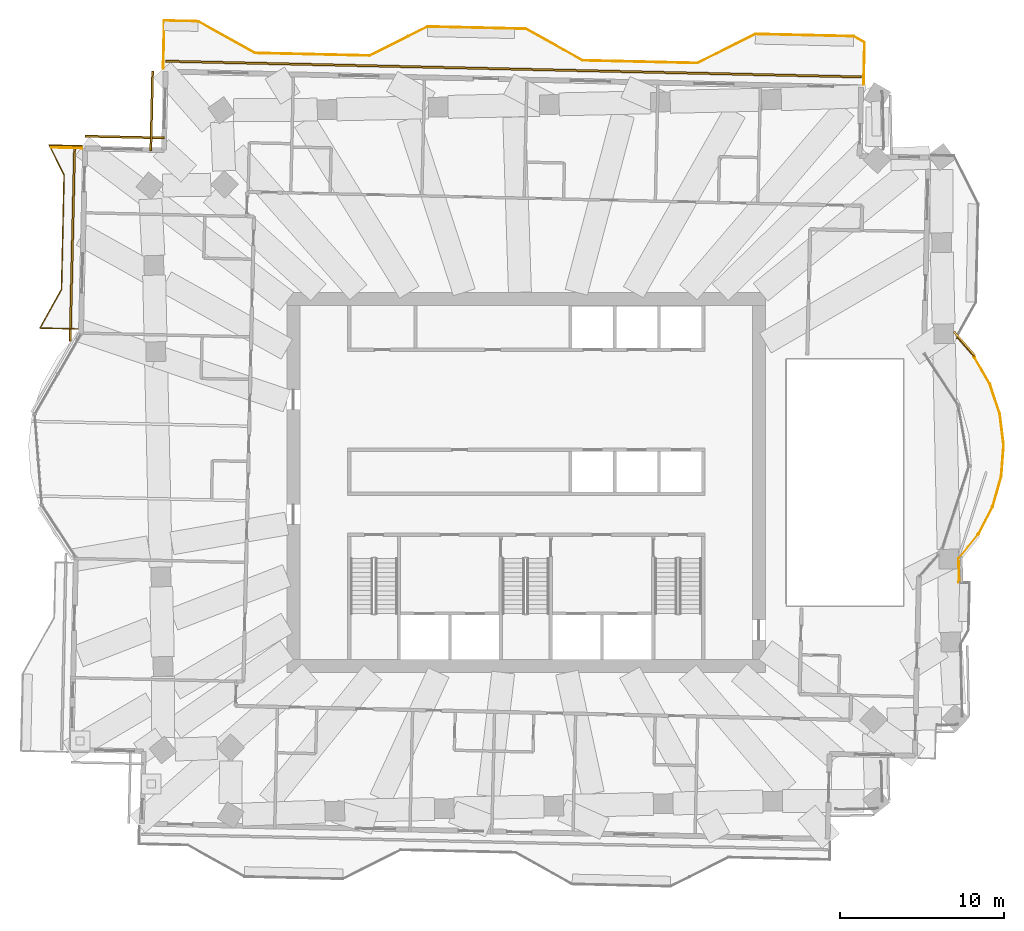
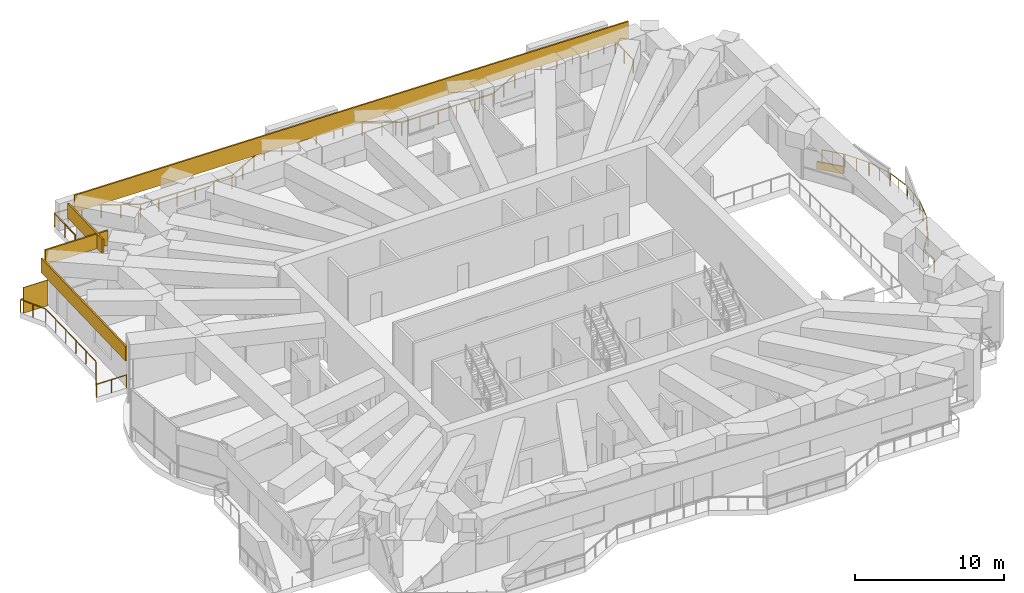
# One storey, part 18 of 19: 5 coverings, 4 railings, 1 shading device.
"""IFC4 building model written with IfcOpenShell, lengths in metres."""

from ifc_helpers import new_model, si_unit, direction, frame, frame_2d, origin, origin_2d, place, context, subcontext, project, spatial, rectangle, extrude, material, layer, layer_set, type_object, element, save


model = new_model("IFC4")

# Units and contexts
model_context = context("Model", 3, precision=1e-05, world=origin(), true_north=direction((0.0, 1.0)))
body_context = subcontext(model_context, "Body", "Model", "MODEL_VIEW")
ifc_project = project(units=[si_unit("LENGTHUNIT", "METRE"), si_unit("AREAUNIT", "SQUARE_METRE"), si_unit("VOLUMEUNIT", "CUBIC_METRE"), si_unit("PLANEANGLEUNIT", "RADIAN"), si_unit("MASSUNIT", "GRAM", prefix="KILO")], contexts=[model_context])

# Site, building, storey
site_placement = place(None, origin())
site = spatial("IfcSite", under=ifc_project, at=site_placement, CompositionType="ELEMENT")
building_placement = place(site_placement, origin())
building = spatial("IfcBuilding", under=site, at=building_placement, Name="Mangrove Gate Tower", CompositionType="ELEMENT")
storey_placement = place(building_placement, frame((0.0, 0.0, 193.300048828125)))
storey = spatial("IfcBuildingStorey", under=building, at=storey_placement, Name="L49", CompositionType="ELEMENT", Elevation=193.300048828125)

# Railings
ifc_material_1 = material(Name="Stainless steel grade 316 with laminated glass infill", Category="steel")
railing_type = type_object("IfcRailingType", Name="Balcony guard 1100", PredefinedType="GUARDRAIL", material=ifc_material_1)
railing_1_placement = place(storey_placement, frame((20.591064453125, 24.2919921875, 0.0)))
element("IfcRailing", 1, at=railing_1_placement, inside=storey, type_object=railing_type, Name="GUARD L49 N1", PredefinedType="GUARDRAIL", context=body_context, shape_type="SweptSolid", body=[
    extrude(rectangle(XDim=0.048095703125, YDim=0.048095703125, at=origin_2d()), frame((0.0, 0.0, 1.076171875), z_axis=(0.022649765825, 0.999743461148, 0.0), x_axis=(-0.999743461148, 0.022649765825, 0.0)), (0.0, 0.0, 1.0), 2.5546875),
    extrude(rectangle(XDim=0.048095703125, YDim=0.048095703125, at=origin_2d()), frame((0.057861328125, 2.553955078125, 1.076171875), z_axis=(-0.872560814271, 0.488505501912, 0.0), x_axis=(-0.488505501912, -0.872560814271, 0.0)), (0.0, 0.0, 1.0), 0.759765625),
    extrude(rectangle(XDim=0.048095703125, YDim=0.048095703125, at=origin_2d()), frame((-0.60498046875, 2.925048828125, 1.076171875), z_axis=(-0.999743178102, 0.022662255828, 0.0), x_axis=(-0.022662255828, -0.999743178102, 0.0)), (0.0, 0.0, 1.0), 6.00048828125),
    extrude(rectangle(XDim=0.048095703125, YDim=0.048095703125, at=origin_2d()), frame((-6.60400390625, 3.06103515625, 1.076171875), z_axis=(-0.894476522376, -0.447114919141, 0.0), x_axis=(0.447114919141, -0.894476522376, 0.0)), (0.0, 0.0, 1.0), 3.958740234375),
    extrude(rectangle(XDim=0.048095703125, YDim=0.048095703125, at=origin_2d()), frame((-10.14501953125, 1.291015625, 1.076171875), z_axis=(-0.999742195543, 0.022705559911, 0.0), x_axis=(-0.022705559911, -0.999742195543, 0.0)), (0.0, 0.0, 1.0), 6.999755859375),
    extrude(rectangle(XDim=0.048095703125, YDim=0.048095703125, at=origin_2d()), frame((-17.14306640625, 1.449951171875, 1.076171875), z_axis=(-0.87325689943, 0.48726008209, 0.0), x_axis=(-0.48726008209, -0.87325689943, 0.0)), (0.0, 0.0, 1.0), 3.958740234375),
    extrude(rectangle(XDim=0.048095703125, YDim=0.048095703125, at=origin_2d()), frame((-20.60009765625, 3.37890625, 1.076171875), z_axis=(-0.999766253184, 0.02162033753, 0.0), x_axis=(-0.02162033753, -0.999766253184, 0.0)), (0.0, 0.0, 1.0), 0.7001953125),
    extrude(rectangle(XDim=0.048095703125, YDim=0.048095703125, at=origin_2d()), frame((-21.300048828125, 3.39404296875, 1.076171875), z_axis=(-0.999740049023, 0.022799876723, 0.0), x_axis=(-0.022799876723, -0.999740049023, 0.0)), (0.0, 0.0, 1.0), 5.300537109375),
    extrude(rectangle(XDim=0.048095703125, YDim=0.048095703125, at=origin_2d()), frame((-26.59912109375, 3.514892578125, 1.076171875), z_axis=(-0.894501186021, -0.447065574839, 0.0), x_axis=(0.447065574839, -0.894501186021, 0.0)), (0.0, 0.0, 1.0), 3.958740234375),
    extrude(rectangle(XDim=0.048095703125, YDim=0.048095703125, at=origin_2d()), frame((-30.14013671875, 1.7451171875, 1.076171875), z_axis=(-0.999745352708, 0.022566119286, 0.0), x_axis=(-0.022566119286, -0.999745352708, 0.0)), (0.0, 0.0, 1.0), 6.999755859375),
    extrude(rectangle(XDim=0.048095703125, YDim=0.048095703125, at=origin_2d()), frame((-37.13818359375, 1.903076171875, 1.076171875), z_axis=(-0.873242256246, 0.487286324359, 0.0), x_axis=(-0.487286324359, -0.873242256246, 0.0)), (0.0, 0.0, 1.0), 3.95849609375),
    extrude(rectangle(XDim=0.048095703125, YDim=0.048095703125, at=origin_2d()), frame((-40.594970703125, 3.83203125, 1.076171875), z_axis=(-0.999744201853, 0.022617048045, 0.0), x_axis=(-0.022617048045, -0.999744201853, 0.0)), (0.0, 0.0, 1.0), 2.072509765625),
    extrude(rectangle(XDim=0.048095703125, YDim=0.048095703125, at=origin_2d()), frame((-42.6669921875, 3.87890625, 1.076171875), z_axis=(-0.022403104328, -0.999749018963, 0.0), x_axis=(0.999749018963, -0.022403104328, 0.0)), (0.0, 0.0, 1.0), 2.90966796875),
    extrude(rectangle(XDim=0.0419921875, YDim=0.0419921875, at=origin_2d()), origin(), (0.0, 0.0, 1.0), 1.052001953125),
    extrude(rectangle(XDim=0.0419921875, YDim=0.0419921875, at=origin_2d()), frame((0.02880859375, 1.27685546875, 0.0)), (0.0, 0.0, 1.0), 1.052001953125),
    extrude(rectangle(XDim=0.0419921875, YDim=0.0419921875, at=origin_2d()), frame((0.057861328125, 2.553955078125, 0.0)), (0.0, 0.0, 1.0), 1.052001953125),
    extrude(rectangle(XDim=0.0419921875, YDim=0.0419921875, at=origin_2d()), frame((-0.60498046875, 2.925048828125, 0.0)), (0.0, 0.0, 1.0), 1.052001953125),
    extrude(rectangle(XDim=0.0419921875, YDim=0.0419921875, at=origin_2d()), frame((-1.8046875, 2.9521484375, 0.0)), (0.0, 0.0, 1.0), 1.052001953125),
    extrude(rectangle(XDim=0.0419921875, YDim=0.0419921875, at=origin_2d()), frame((-3.004638671875, 2.9794921875, 0.0)), (0.0, 0.0, 1.0), 1.052001953125),
    extrude(rectangle(XDim=0.0419921875, YDim=0.0419921875, at=origin_2d()), frame((-4.204345703125, 3.006591796875, 0.0)), (0.0, 0.0, 1.0), 1.052001953125),
    extrude(rectangle(XDim=0.0419921875, YDim=0.0419921875, at=origin_2d()), frame((-5.404296875, 3.033935546875, 0.0)), (0.0, 0.0, 1.0), 1.052001953125),
    extrude(rectangle(XDim=0.0419921875, YDim=0.0419921875, at=origin_2d()), frame((-6.60400390625, 3.06103515625, 0.0)), (0.0, 0.0, 1.0), 1.052001953125),
    extrude(rectangle(XDim=0.0419921875, YDim=0.0419921875, at=origin_2d()), frame((-7.784423828125, 2.470947265625, 0.0)), (0.0, 0.0, 1.0), 1.052001953125),
    extrude(rectangle(XDim=0.0419921875, YDim=0.0419921875, at=origin_2d()), frame((-8.964599609375, 1.881103515625, 0.0)), (0.0, 0.0, 1.0), 1.052001953125),
    extrude(rectangle(XDim=0.0419921875, YDim=0.0419921875, at=origin_2d()), frame((-10.14501953125, 1.291015625, 0.0)), (0.0, 0.0, 1.0), 1.052001953125),
    extrude(rectangle(XDim=0.0419921875, YDim=0.0419921875, at=origin_2d()), frame((-11.544677734375, 1.32275390625, 0.0)), (0.0, 0.0, 1.0), 1.052001953125),
    extrude(rectangle(XDim=0.0419921875, YDim=0.0419921875, at=origin_2d()), frame((-12.9443359375, 1.3544921875, 0.0)), (0.0, 0.0, 1.0), 1.052001953125),
    extrude(rectangle(XDim=0.0419921875, YDim=0.0419921875, at=origin_2d()), frame((-14.34375, 1.386474609375, 0.0)), (0.0, 0.0, 1.0), 1.052001953125),
    extrude(rectangle(XDim=0.0419921875, YDim=0.0419921875, at=origin_2d()), frame((-15.743408203125, 1.418212890625, 0.0)), (0.0, 0.0, 1.0), 1.052001953125),
    extrude(rectangle(XDim=0.0419921875, YDim=0.0419921875, at=origin_2d()), frame((-17.14306640625, 1.449951171875, 0.0)), (0.0, 0.0, 1.0), 1.052001953125),
    extrude(rectangle(XDim=0.0419921875, YDim=0.0419921875, at=origin_2d()), frame((-18.29541015625, 2.093017578125, 0.0)), (0.0, 0.0, 1.0), 1.052001953125),
    extrude(rectangle(XDim=0.0419921875, YDim=0.0419921875, at=origin_2d()), frame((-19.44775390625, 2.73583984375, 0.0)), (0.0, 0.0, 1.0), 1.052001953125),
    extrude(rectangle(XDim=0.0419921875, YDim=0.0419921875, at=origin_2d()), frame((-20.60009765625, 3.37890625, 0.0)), (0.0, 0.0, 1.0), 1.052001953125),
    extrude(rectangle(XDim=0.0419921875, YDim=0.0419921875, at=origin_2d()), frame((-21.300048828125, 3.39404296875, 0.0)), (0.0, 0.0, 1.0), 1.052001953125),
    extrude(rectangle(XDim=0.0419921875, YDim=0.0419921875, at=origin_2d()), frame((-22.624755859375, 3.42431640625, 0.0)), (0.0, 0.0, 1.0), 1.052001953125),
    extrude(rectangle(XDim=0.0419921875, YDim=0.0419921875, at=origin_2d()), frame((-23.94970703125, 3.45458984375, 0.0)), (0.0, 0.0, 1.0), 1.052001953125),
    extrude(rectangle(XDim=0.0419921875, YDim=0.0419921875, at=origin_2d()), frame((-25.2744140625, 3.484619140625, 0.0)), (0.0, 0.0, 1.0), 1.052001953125),
    extrude(rectangle(XDim=0.0419921875, YDim=0.0419921875, at=origin_2d()), frame((-26.59912109375, 3.514892578125, 0.0)), (0.0, 0.0, 1.0), 1.052001953125),
    extrude(rectangle(XDim=0.0419921875, YDim=0.0419921875, at=origin_2d()), frame((-27.779541015625, 2.925048828125, 0.0)), (0.0, 0.0, 1.0), 1.052001953125),
    extrude(rectangle(XDim=0.0419921875, YDim=0.0419921875, at=origin_2d()), frame((-28.959716796875, 2.3349609375, 0.0)), (0.0, 0.0, 1.0), 1.052001953125),
    extrude(rectangle(XDim=0.0419921875, YDim=0.0419921875, at=origin_2d()), frame((-30.14013671875, 1.7451171875, 0.0)), (0.0, 0.0, 1.0), 1.052001953125),
    extrude(rectangle(XDim=0.0419921875, YDim=0.0419921875, at=origin_2d()), frame((-31.539794921875, 1.776611328125, 0.0)), (0.0, 0.0, 1.0), 1.052001953125),
    extrude(rectangle(XDim=0.0419921875, YDim=0.0419921875, at=origin_2d()), frame((-32.939453125, 1.808349609375, 0.0)), (0.0, 0.0, 1.0), 1.052001953125),
    extrude(rectangle(XDim=0.0419921875, YDim=0.0419921875, at=origin_2d()), frame((-34.3388671875, 1.83984375, 0.0)), (0.0, 0.0, 1.0), 1.052001953125),
    extrude(rectangle(XDim=0.0419921875, YDim=0.0419921875, at=origin_2d()), frame((-35.738525390625, 1.87158203125, 0.0)), (0.0, 0.0, 1.0), 1.052001953125),
    extrude(rectangle(XDim=0.0419921875, YDim=0.0419921875, at=origin_2d()), frame((-37.13818359375, 1.903076171875, 0.0)), (0.0, 0.0, 1.0), 1.052001953125),
    extrude(rectangle(XDim=0.0419921875, YDim=0.0419921875, at=origin_2d()), frame((-38.29052734375, 2.546142578125, 0.0)), (0.0, 0.0, 1.0), 1.052001953125),
    extrude(rectangle(XDim=0.0419921875, YDim=0.0419921875, at=origin_2d()), frame((-39.442626953125, 3.18896484375, 0.0)), (0.0, 0.0, 1.0), 1.052001953125),
    extrude(rectangle(XDim=0.0419921875, YDim=0.0419921875, at=origin_2d()), frame((-40.594970703125, 3.83203125, 0.0)), (0.0, 0.0, 1.0), 1.052001953125),
    extrude(rectangle(XDim=0.0419921875, YDim=0.0419921875, at=origin_2d()), frame((-41.630859375, 3.85546875, 0.0)), (0.0, 0.0, 1.0), 1.052001953125),
    extrude(rectangle(XDim=0.0419921875, YDim=0.0419921875, at=origin_2d()), frame((-42.6669921875, 3.87890625, 0.0)), (0.0, 0.0, 1.0), 1.052001953125),
    extrude(rectangle(XDim=0.0419921875, YDim=0.0419921875, at=origin_2d()), frame((-42.69970703125, 2.42431640625, 0.0)), (0.0, 0.0, 1.0), 1.052001953125),
    extrude(rectangle(XDim=0.0419921875, YDim=0.0419921875, at=origin_2d()), frame((-42.732177734375, 0.969970703125, 0.0)), (0.0, 0.0, 1.0), 1.052001953125),
])
railing_2_placement = place(storey_placement, frame((-27.090087890625, 20.532958984375, 0.0)))
element("IfcRailing", 2, at=railing_2_placement, inside=storey, type_object=railing_type, Name="GUARD L49 W1", PredefinedType="GUARDRAIL", context=body_context, shape_type="SweptSolid", body=[
    extrude(rectangle(XDim=0.048095703125, YDim=0.048095703125, at=origin_2d()), frame((0.0, 0.0, 1.076171875), z_axis=(-0.999736861718, 0.022939209283, 0.0), x_axis=(-0.022939209283, -0.999736861718, 0.0)), (0.0, 0.0, 1.0), 2.011474609375),
    extrude(rectangle(XDim=0.048095703125, YDim=0.048095703125, at=origin_2d()), frame((-2.010986328125, 0.046142578125, 1.076171875), z_axis=(0.447069683161, -0.894499132698, 0.0), x_axis=(0.894499132698, 0.447069683161, 0.0)), (0.0, 0.0, 1.0), 2.035888671875),
    extrude(rectangle(XDim=0.048095703125, YDim=0.048095703125, at=origin_2d()), frame((-1.100830078125, -1.77490234375, 1.076171875), z_axis=(-0.022737248567, -0.999741475346, 0.0), x_axis=(0.999741475346, -0.022737248567, 0.0)), (0.0, 0.0, 1.0), 7.000732421875),
    extrude(rectangle(XDim=0.048095703125, YDim=0.048095703125, at=origin_2d()), frame((-1.260009765625, -8.77392578125, 1.076171875), z_axis=(-0.487093655778, -0.873349741227, 0.0), x_axis=(0.873349741227, -0.487093655778, 0.0)), (0.0, 0.0, 1.0), 2.68505859375),
    extrude(rectangle(XDim=0.048095703125, YDim=0.048095703125, at=origin_2d()), frame((-2.56787109375, -11.118896484375, 1.076171875), z_axis=(0.999738009607, -0.022889127251, 0.0), x_axis=(0.022889127251, 0.999738009607, 0.0)), (0.0, 0.0, 1.0), 2.314453125),
    extrude(rectangle(XDim=0.0419921875, YDim=0.0419921875, at=origin_2d()), origin(), (0.0, 0.0, 1.0), 1.052001953125),
    extrude(rectangle(XDim=0.0419921875, YDim=0.0419921875, at=origin_2d()), frame((-1.00537109375, 0.02294921875, 0.0)), (0.0, 0.0, 1.0), 1.052001953125),
    extrude(rectangle(XDim=0.0419921875, YDim=0.0419921875, at=origin_2d()), frame((-2.010986328125, 0.046142578125, 0.0)), (0.0, 0.0, 1.0), 1.052001953125),
    extrude(rectangle(XDim=0.0419921875, YDim=0.0419921875, at=origin_2d()), frame((-1.555908203125, -0.8642578125, 0.0)), (0.0, 0.0, 1.0), 1.052001953125),
    extrude(rectangle(XDim=0.0419921875, YDim=0.0419921875, at=origin_2d()), frame((-1.100830078125, -1.77490234375, 0.0)), (0.0, 0.0, 1.0), 1.052001953125),
    extrude(rectangle(XDim=0.0419921875, YDim=0.0419921875, at=origin_2d()), frame((-1.132568359375, -3.1748046875, 0.0)), (0.0, 0.0, 1.0), 1.052001953125),
    extrude(rectangle(XDim=0.0419921875, YDim=0.0419921875, at=origin_2d()), frame((-1.16455078125, -4.574462890625, 0.0)), (0.0, 0.0, 1.0), 1.052001953125),
    extrude(rectangle(XDim=0.0419921875, YDim=0.0419921875, at=origin_2d()), frame((-1.1962890625, -5.974365234375, 0.0)), (0.0, 0.0, 1.0), 1.052001953125),
    extrude(rectangle(XDim=0.0419921875, YDim=0.0419921875, at=origin_2d()), frame((-1.228271484375, -7.3740234375, 0.0)), (0.0, 0.0, 1.0), 1.052001953125),
    extrude(rectangle(XDim=0.0419921875, YDim=0.0419921875, at=origin_2d()), frame((-1.260009765625, -8.77392578125, 0.0)), (0.0, 0.0, 1.0), 1.052001953125),
    extrude(rectangle(XDim=0.0419921875, YDim=0.0419921875, at=origin_2d()), frame((-1.9140625, -9.9462890625, 0.0)), (0.0, 0.0, 1.0), 1.052001953125),
    extrude(rectangle(XDim=0.0419921875, YDim=0.0419921875, at=origin_2d()), frame((-2.56787109375, -11.118896484375, 0.0)), (0.0, 0.0, 1.0), 1.052001953125),
    extrude(rectangle(XDim=0.0419921875, YDim=0.0419921875, at=origin_2d()), frame((-1.410888671875, -11.1455078125, 0.0)), (0.0, 0.0, 1.0), 1.052001953125),
    extrude(rectangle(XDim=0.0419921875, YDim=0.0419921875, at=origin_2d()), frame((-0.25390625, -11.171875, 0.0)), (0.0, 0.0, 1.0), 1.052001953125),
])
railing_3_placement = place(storey_placement, frame((27.30810546875, 7.68408203125, 0.0)))
element("IfcRailing", 3, at=railing_3_placement, inside=storey, type_object=railing_type, Name="GUARD L49 T1.1", PredefinedType="GUARDRAIL", context=body_context, shape_type="SweptSolid", body=[
    extrude(rectangle(XDim=0.048095703125, YDim=0.048095703125, at=origin_2d()), frame((0.0, 0.0, 1.076171875), z_axis=(0.621705532722, -0.783251064846, 0.0), x_axis=(0.783251064846, 0.621705532722, 0.0)), (0.0, 0.0, 1.0), 0.0498046875),
    extrude(rectangle(XDim=0.048095703125, YDim=0.048095703125, at=origin_2d()), frame((0.031005859375, -0.0390625, 1.076171875), z_axis=(0.538775689721, -0.842449260291, 0.0), x_axis=(0.842449260291, 0.538775689721, 0.0)), (0.0, 0.0, 1.0), 0.0498046875),
    extrude(rectangle(XDim=0.048095703125, YDim=0.048095703125, at=origin_2d()), frame((0.057861328125, -0.0810546875, 1.076171875), z_axis=(0.498124460568, -0.867105542471, 0.0), x_axis=(0.867105542471, 0.498124460568, 0.0)), (0.0, 0.0, 1.0), 1.81298828125),
    extrude(rectangle(XDim=0.048095703125, YDim=0.048095703125, at=origin_2d()), frame((0.9609375, -1.653076171875, 1.076171875), z_axis=(0.462902565911, -0.886409168766, 0.0), x_axis=(0.886409168766, 0.462902565911, 0.0)), (0.0, 0.0, 1.0), 0.049560546875),
    extrude(rectangle(XDim=0.048095703125, YDim=0.048095703125, at=origin_2d()), frame((0.98388671875, -1.697021484375, 1.076171875), z_axis=(0.358006312238, -0.933719165701, 0.0), x_axis=(0.933719165701, 0.358006312238, 0.0)), (0.0, 0.0, 1.0), 0.050537109375),
    extrude(rectangle(XDim=0.048095703125, YDim=0.048095703125, at=origin_2d()), frame((1.001953125, -1.744140625, 1.076171875), z_axis=(0.316227766017, -0.948683298051, 0.0), x_axis=(0.948683298051, 0.316227766017, 0.0)), (0.0, 0.0, 1.0), 1.81201171875),
    extrude(rectangle(XDim=0.048095703125, YDim=0.048095703125, at=origin_2d()), frame((1.574951171875, -3.463134765625, 1.076171875), z_axis=(0.279247415681, -0.960219183747, 0.0), x_axis=(0.960219183747, 0.279247415681, 0.0)), (0.0, 0.0, 1.0), 0.0498046875),
    extrude(rectangle(XDim=0.048095703125, YDim=0.048095703125, at=origin_2d()), frame((1.5888671875, -3.510986328125, 1.076171875), z_axis=(0.162010149383, -0.986789091699, 0.0), x_axis=(0.986789091699, 0.162010149383, 0.0)), (0.0, 0.0, 1.0), 0.0498046875),
    extrude(rectangle(XDim=0.048095703125, YDim=0.048095703125, at=origin_2d()), frame((1.596923828125, -3.56005859375, 1.076171875), z_axis=(0.122361242097, -0.992485630341, 0.0), x_axis=(0.992485630341, 0.122361242097, 0.0)), (0.0, 0.0, 1.0), 1.813720703125),
    extrude(rectangle(XDim=0.048095703125, YDim=0.048095703125, at=origin_2d()), frame((1.81884765625, -5.360107421875, 1.076171875), z_axis=(0.059595380047, -0.998222615791, 0.0), x_axis=(0.998222615791, 0.059595380047, 0.0)), (0.0, 0.0, 1.0), 0.049072265625),
    extrude(rectangle(XDim=0.048095703125, YDim=0.048095703125, at=origin_2d()), frame((1.82177734375, -5.4091796875, 1.076171875), z_axis=(-0.019604074934, -0.999807821657, 0.0), x_axis=(0.999807821657, -0.019604074934, 0.0)), (0.0, 0.0, 1.0), 0.0498046875),
    extrude(rectangle(XDim=0.048095703125, YDim=0.048095703125, at=origin_2d()), frame((1.82080078125, -5.458984375, 1.076171875), z_axis=(-0.077180601821, -0.99701712859, 0.0), x_axis=(0.99701712859, -0.077180601821, 0.0)), (0.0, 0.0, 1.0), 1.8125),
    extrude(rectangle(XDim=0.048095703125, YDim=0.048095703125, at=origin_2d()), frame((1.680908203125, -7.26611328125, 1.076171875), z_axis=(-0.121054375311, -0.992645877551, 0.0), x_axis=(0.992645877551, -0.121054375311, 0.0)), (0.0, 0.0, 1.0), 0.050537109375),
    extrude(rectangle(XDim=0.048095703125, YDim=0.048095703125, at=origin_2d()), frame((1.6748046875, -7.316162109375, 1.076171875), z_axis=(-0.223769850009, -0.974642013371, 0.0), x_axis=(0.974642013371, -0.223769850009, 0.0)), (0.0, 0.0, 1.0), 0.049072265625),
    extrude(rectangle(XDim=0.048095703125, YDim=0.048095703125, at=origin_2d()), frame((1.663818359375, -7.364013671875, 1.076171875), z_axis=(-0.272959897948, -0.962025412404, 0.0), x_axis=(0.962025412404, -0.272959897948, 0.0)), (0.0, 0.0, 1.0), 1.81298828125),
    extrude(rectangle(XDim=0.048095703125, YDim=0.048095703125, at=origin_2d()), frame((1.1689453125, -9.108154296875, 1.076171875), z_axis=(-0.325079768511, -0.945686599305, 0.0), x_axis=(0.945686599305, -0.325079768511, 0.0)), (0.0, 0.0, 1.0), 0.049560546875),
    extrude(rectangle(XDim=0.048095703125, YDim=0.048095703125, at=origin_2d()), frame((1.15283203125, -9.155029296875, 1.076171875), z_axis=(-0.414165751771, -0.910201477729, 0.0), x_axis=(0.910201477729, -0.414165751771, 0.0)), (0.0, 0.0, 1.0), 0.05078125),
    extrude(rectangle(XDim=0.048095703125, YDim=0.048095703125, at=origin_2d()), frame((1.1318359375, -9.201171875, 1.076171875), z_axis=(-0.458491951737, -0.888698559801, 0.0), x_axis=(0.888698559801, -0.458491951737, 0.0)), (0.0, 0.0, 1.0), 1.8125),
    extrude(rectangle(XDim=0.048095703125, YDim=0.048095703125, at=origin_2d()), frame((0.30078125, -10.81201171875, 1.076171875), z_axis=(-0.501423782413, -0.865201820635, 0.0), x_axis=(0.865201820635, -0.501423782413, 0.0)), (0.0, 0.0, 1.0), 0.049560546875),
    extrude(rectangle(XDim=0.048095703125, YDim=0.048095703125, at=origin_2d()), frame((0.27587890625, -10.85498046875, 1.076171875), z_axis=(-0.587291012921, -0.80937584974, 0.0), x_axis=(0.80937584974, -0.587291012921, 0.0)), (0.0, 0.0, 1.0), 0.049560546875),
    extrude(rectangle(XDim=0.048095703125, YDim=0.048095703125, at=origin_2d()), frame((0.246826171875, -10.89501953125, 1.076171875), z_axis=(-0.625579310112, -0.780160577548, 0.0), x_axis=(0.780160577548, -0.625579310112, 0.0)), (0.0, 0.0, 1.0), 1.85107421875),
    extrude(rectangle(XDim=0.048095703125, YDim=0.048095703125, at=origin_2d()), frame((-0.9111328125, -12.339111328125, 1.076171875), z_axis=(-0.577464720627, -0.816415639507, 0.0), x_axis=(0.816415639507, -0.577464720627, 0.0)), (0.0, 0.0, 1.0), 0.01220703125),
    extrude(rectangle(XDim=0.048095703125, YDim=0.048095703125, at=origin_2d()), frame((-0.918212890625, -12.34912109375, 1.076171875), z_axis=(0.0, -1.0, 0.0), x_axis=(1.0, 0.0, 0.0)), (0.0, 0.0, 1.0), 0.011962890625),
    extrude(rectangle(XDim=0.048095703125, YDim=0.048095703125, at=origin_2d()), frame((-0.918212890625, -12.361083984375, 1.076171875), z_axis=(0.02275272901, -0.999741123153, 0.0), x_axis=(0.999741123153, 0.02275272901, 0.0)), (0.0, 0.0, 1.0), 1.41650390625),
    extrude(rectangle(XDim=0.048095703125, YDim=0.048095703125, at=origin_2d()), frame((-0.885986328125, -13.777099609375, 1.076171875), z_axis=(-0.999809691461, 0.019508481785, 0.0), x_axis=(-0.019508481785, -0.999809691461, 0.0)), (0.0, 0.0, 1.0), 0.050048828125),
    extrude(rectangle(XDim=0.0419921875, YDim=0.0419921875, at=origin_2d()), origin(), (0.0, 0.0, 1.0), 1.052001953125),
    extrude(rectangle(XDim=0.0419921875, YDim=0.0419921875, at=origin_2d()), frame((0.031005859375, -0.0390625, 0.0)), (0.0, 0.0, 1.0), 1.052001953125),
    extrude(rectangle(XDim=0.0419921875, YDim=0.0419921875, at=origin_2d()), frame((0.057861328125, -0.0810546875, 0.0)), (0.0, 0.0, 1.0), 1.052001953125),
    extrude(rectangle(XDim=0.0419921875, YDim=0.0419921875, at=origin_2d()), frame((0.50927734375, -0.8671875, 0.0)), (0.0, 0.0, 1.0), 1.052001953125),
    extrude(rectangle(XDim=0.0419921875, YDim=0.0419921875, at=origin_2d()), frame((0.9609375, -1.653076171875, 0.0)), (0.0, 0.0, 1.0), 1.052001953125),
    extrude(rectangle(XDim=0.0419921875, YDim=0.0419921875, at=origin_2d()), frame((0.98388671875, -1.697021484375, 0.0)), (0.0, 0.0, 1.0), 1.052001953125),
    extrude(rectangle(XDim=0.0419921875, YDim=0.0419921875, at=origin_2d()), frame((1.001953125, -1.744140625, 0.0)), (0.0, 0.0, 1.0), 1.052001953125),
    extrude(rectangle(XDim=0.0419921875, YDim=0.0419921875, at=origin_2d()), frame((1.28857421875, -2.603515625, 0.0)), (0.0, 0.0, 1.0), 1.052001953125),
    extrude(rectangle(XDim=0.0419921875, YDim=0.0419921875, at=origin_2d()), frame((1.574951171875, -3.463134765625, 0.0)), (0.0, 0.0, 1.0), 1.052001953125),
    extrude(rectangle(XDim=0.0419921875, YDim=0.0419921875, at=origin_2d()), frame((1.5888671875, -3.510986328125, 0.0)), (0.0, 0.0, 1.0), 1.052001953125),
    extrude(rectangle(XDim=0.0419921875, YDim=0.0419921875, at=origin_2d()), frame((1.596923828125, -3.56005859375, 0.0)), (0.0, 0.0, 1.0), 1.052001953125),
    extrude(rectangle(XDim=0.0419921875, YDim=0.0419921875, at=origin_2d()), frame((1.7080078125, -4.4599609375, 0.0)), (0.0, 0.0, 1.0), 1.052001953125),
    extrude(rectangle(XDim=0.0419921875, YDim=0.0419921875, at=origin_2d()), frame((1.81884765625, -5.360107421875, 0.0)), (0.0, 0.0, 1.0), 1.052001953125),
    extrude(rectangle(XDim=0.0419921875, YDim=0.0419921875, at=origin_2d()), frame((1.82177734375, -5.4091796875, 0.0)), (0.0, 0.0, 1.0), 1.052001953125),
    extrude(rectangle(XDim=0.0419921875, YDim=0.0419921875, at=origin_2d()), frame((1.82080078125, -5.458984375, 0.0)), (0.0, 0.0, 1.0), 1.052001953125),
    extrude(rectangle(XDim=0.0419921875, YDim=0.0419921875, at=origin_2d()), frame((1.7509765625, -6.362548828125, 0.0)), (0.0, 0.0, 1.0), 1.052001953125),
    extrude(rectangle(XDim=0.0419921875, YDim=0.0419921875, at=origin_2d()), frame((1.680908203125, -7.26611328125, 0.0)), (0.0, 0.0, 1.0), 1.052001953125),
    extrude(rectangle(XDim=0.0419921875, YDim=0.0419921875, at=origin_2d()), frame((1.6748046875, -7.316162109375, 0.0)), (0.0, 0.0, 1.0), 1.052001953125),
    extrude(rectangle(XDim=0.0419921875, YDim=0.0419921875, at=origin_2d()), frame((1.663818359375, -7.364013671875, 0.0)), (0.0, 0.0, 1.0), 1.052001953125),
    extrude(rectangle(XDim=0.0419921875, YDim=0.0419921875, at=origin_2d()), frame((1.41650390625, -8.236083984375, 0.0)), (0.0, 0.0, 1.0), 1.052001953125),
    extrude(rectangle(XDim=0.0419921875, YDim=0.0419921875, at=origin_2d()), frame((1.1689453125, -9.108154296875, 0.0)), (0.0, 0.0, 1.0), 1.052001953125),
    extrude(rectangle(XDim=0.0419921875, YDim=0.0419921875, at=origin_2d()), frame((1.15283203125, -9.155029296875, 0.0)), (0.0, 0.0, 1.0), 1.052001953125),
    extrude(rectangle(XDim=0.0419921875, YDim=0.0419921875, at=origin_2d()), frame((1.1318359375, -9.201171875, 0.0)), (0.0, 0.0, 1.0), 1.052001953125),
    extrude(rectangle(XDim=0.0419921875, YDim=0.0419921875, at=origin_2d()), frame((0.71630859375, -10.006591796875, 0.0)), (0.0, 0.0, 1.0), 1.052001953125),
    extrude(rectangle(XDim=0.0419921875, YDim=0.0419921875, at=origin_2d()), frame((0.30078125, -10.81201171875, 0.0)), (0.0, 0.0, 1.0), 1.052001953125),
    extrude(rectangle(XDim=0.0419921875, YDim=0.0419921875, at=origin_2d()), frame((0.27587890625, -10.85498046875, 0.0)), (0.0, 0.0, 1.0), 1.052001953125),
    extrude(rectangle(XDim=0.0419921875, YDim=0.0419921875, at=origin_2d()), frame((0.246826171875, -10.89501953125, 0.0)), (0.0, 0.0, 1.0), 1.052001953125),
    extrude(rectangle(XDim=0.0419921875, YDim=0.0419921875, at=origin_2d()), frame((-0.33203125, -11.6171875, 0.0)), (0.0, 0.0, 1.0), 1.052001953125),
    extrude(rectangle(XDim=0.0419921875, YDim=0.0419921875, at=origin_2d()), frame((-0.9111328125, -12.339111328125, 0.0)), (0.0, 0.0, 1.0), 1.052001953125),
    extrude(rectangle(XDim=0.0419921875, YDim=0.0419921875, at=origin_2d()), frame((-0.918212890625, -12.34912109375, 0.0)), (0.0, 0.0, 1.0), 1.052001953125),
    extrude(rectangle(XDim=0.0419921875, YDim=0.0419921875, at=origin_2d()), frame((-0.918212890625, -12.361083984375, 0.0)), (0.0, 0.0, 1.0), 1.052001953125),
    extrude(rectangle(XDim=0.0419921875, YDim=0.0419921875, at=origin_2d()), frame((-0.885986328125, -13.777099609375, 0.0)), (0.0, 0.0, 1.0), 1.052001953125),
    extrude(rectangle(XDim=0.0419921875, YDim=0.0419921875, at=origin_2d()), frame((-0.93603515625, -13.776123046875, 0.0)), (0.0, 0.0, 1.0), 1.052001953125),
])
railing_4_placement = place(storey_placement, frame((26.27294921875, 8.784912109375, 0.0)))
element("IfcRailing", 4, at=railing_4_placement, inside=storey, type_object=railing_type, Name="GUARD L49 T1.2", PredefinedType="GUARDRAIL", context=body_context, shape_type="SweptSolid", body=[
    extrude(rectangle(XDim=0.048095703125, YDim=0.048095703125, at=origin_2d()), frame((0.0, 0.0, 1.076171875), z_axis=(0.470825473703, 0.882226373054, 0.0), x_axis=(-0.882226373054, 0.470825473703, 0.0)), (0.0, 0.0, 1.0), 0.053466796875),
    extrude(rectangle(XDim=0.048095703125, YDim=0.048095703125, at=origin_2d()), frame((0.025146484375, 0.047119140625, 1.076171875), z_axis=(0.660559502799, -0.750773696437, 0.0), x_axis=(0.750773696437, 0.660559502799, 0.0)), (0.0, 0.0, 1.0), 1.529052734375),
    extrude(rectangle(XDim=0.0419921875, YDim=0.0419921875, at=origin_2d()), origin(), (0.0, 0.0, 1.0), 1.052001953125),
    extrude(rectangle(XDim=0.0419921875, YDim=0.0419921875, at=origin_2d()), frame((0.025146484375, 0.047119140625, 0.0)), (0.0, 0.0, 1.0), 1.052001953125),
    extrude(rectangle(XDim=0.0419921875, YDim=0.0419921875, at=origin_2d()), frame((0.5302734375, -0.52685546875, 0.0)), (0.0, 0.0, 1.0), 1.052001953125),
    extrude(rectangle(XDim=0.0419921875, YDim=0.0419921875, at=origin_2d()), frame((1.03515625, -1.100830078125, 0.0)), (0.0, 0.0, 1.0), 1.052001953125),
])

# Shading device
ifc_material_2 = material(Name="Timber slat screen in teak", Category="wood")
shading_device_type = type_object("IfcShadingDeviceType", Name="Balcony screen 2100", PredefinedType="USERDEFINED", material=ifc_material_2)
shading_device_placement = place(storey_placement, frame((-28.01904296875, 20.4140625, 0.0), z_axis=(0.0, 0.0, 1.0), x_axis=(-0.999736635532, 0.022949064795, 0.0)))
element("IfcShadingDevice", 5, at=shading_device_placement, inside=storey, type_object=shading_device_type, Name="SCREEN L49 W0", ObjectType="SCREEN", PredefinedType="USERDEFINED", context=body_context, shape_type="SweptSolid", body=[
    extrude(rectangle(XDim=1.89208984375, YDim=0.050048828125, at=origin_2d()), origin(), (0.0, 0.0, 1.0), 2.10009765625),
])

# Coverings
ifc_material_3 = material(Name="Limestone", Category="masonry")
ifc_layer_1 = layer(ifc_material_3, 0.0400390625, Name="Limestone cladding")
ifc_material_4 = material(Name="Stainless steel anchors and cavity", Category="steel")
ifc_layer_2 = layer(ifc_material_4, 0.080078125, Name="Fixing cavity")
ifc_layer_set = layer_set([ifc_layer_1, ifc_layer_2], Name="Joint fascia cladding 120")
covering_type = type_object("IfcCoveringType", Name="Joint fascia cladding 120", PredefinedType="CLADDING", material=ifc_layer_set)
covering_1_placement = place(storey_placement, frame((20.450927734375, 24.736083984375, 2.64990234375), z_axis=(0.0, 0.0, 1.0), x_axis=(-0.999743155322, 0.022663260735, 0.0)))
element("IfcCovering", 6, at=covering_1_placement, inside=storey, type_object=covering_type, Name="STONE FASCIA L49 N5.1", PredefinedType="CLADDING", context=body_context, shape_type="SweptSolid", body=[
    extrude(rectangle(XDim=42.44384765625, YDim=0.1201171875, at=frame_2d((21.221923828125, 0.0))), origin(), (0.0, 0.0, 1.0), 1.400146484375),
])
covering_2_placement = place(storey_placement, frame((-22.7880859375, 25.0869140625, 2.849853515625), z_axis=(0.0, 0.0, 1.0), x_axis=(-0.022669909401, -0.999743004581, 0.0)))
element("IfcCovering", 7, at=covering_2_placement, inside=storey, type_object=covering_type, Name="STONE FASCIA L49 W6.1", PredefinedType="CLADDING", context=body_context, shape_type="SweptSolid", body=[
    extrude(rectangle(XDim=4.84619140625, YDim=0.1201171875, at=frame_2d((2.423095703125, 0.0))), origin(), (0.0, 0.0, 1.0), 1.2001953125),
])
covering_3_placement = place(storey_placement, frame((-22.087890625, 21.012939453125, 2.849853515625), z_axis=(0.0, 0.0, 1.0), x_axis=(-0.99974154664, 0.022734113616, 0.0)))
element("IfcCovering", 8, at=covering_3_placement, inside=storey, type_object=covering_type, Name="STONE FASCIA L49 N7.1", PredefinedType="CLADDING", context=body_context, shape_type="SweptSolid", body=[
    extrude(rectangle(XDim=4.80029296875, YDim=0.1201171875, at=frame_2d((2.400146484375, 0.0))), origin(), (0.0, 0.0, 1.0), 1.2001953125),
])
covering_4_placement = place(storey_placement, frame((-27.549072265625, 20.39404296875, 2.849853515625), z_axis=(0.0, 0.0, 1.0), x_axis=(-0.022629695359, -0.999743915654, 0.0)))
element("IfcCovering", 9, at=covering_4_placement, inside=storey, type_object=covering_type, Name="STONE FASCIA L49 W8.1", PredefinedType="CLADDING", context=body_context, shape_type="SweptSolid", body=[
    extrude(rectangle(XDim=11.791748046875, YDim=0.1201171875, at=frame_2d((5.89599609375, 0.0))), origin(), (0.0, 0.0, 1.0), 1.2001953125),
])
covering_5_placement = place(storey_placement, frame((26.10205078125, 9.19091796875, -0.60009765625), z_axis=(0.0, 0.0, 1.0), x_axis=(0.660251003394, -0.751045013642, 0.0)))
element("IfcCovering", 10, at=covering_5_placement, inside=storey, type_object=covering_type, Name="STONE FASCIA L49 TB61-2.1", PredefinedType="CLADDING", context=body_context, shape_type="SweptSolid", body=[
    extrude(rectangle(XDim=1.927978515625, YDim=0.1201171875, at=frame_2d((0.9638671875, 0.0))), origin(), (0.0, 0.0, 1.0), 0.60009765625),
])

save(model, "model.ifc")
